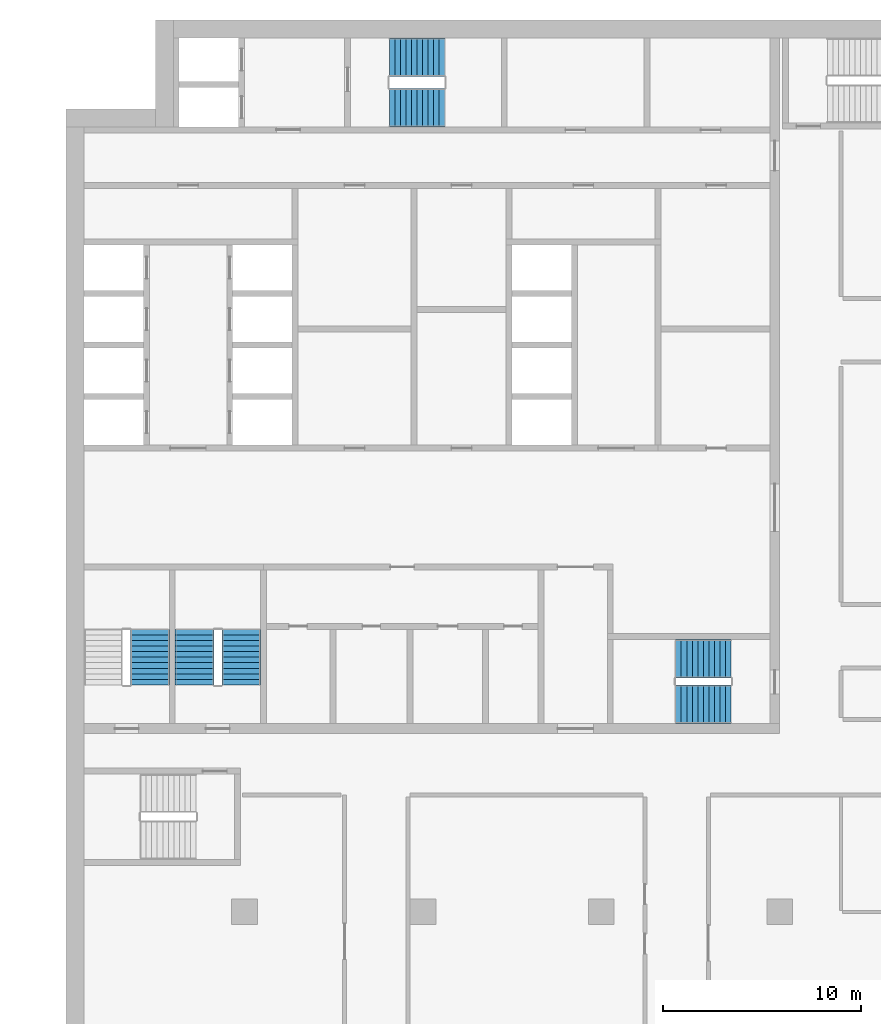
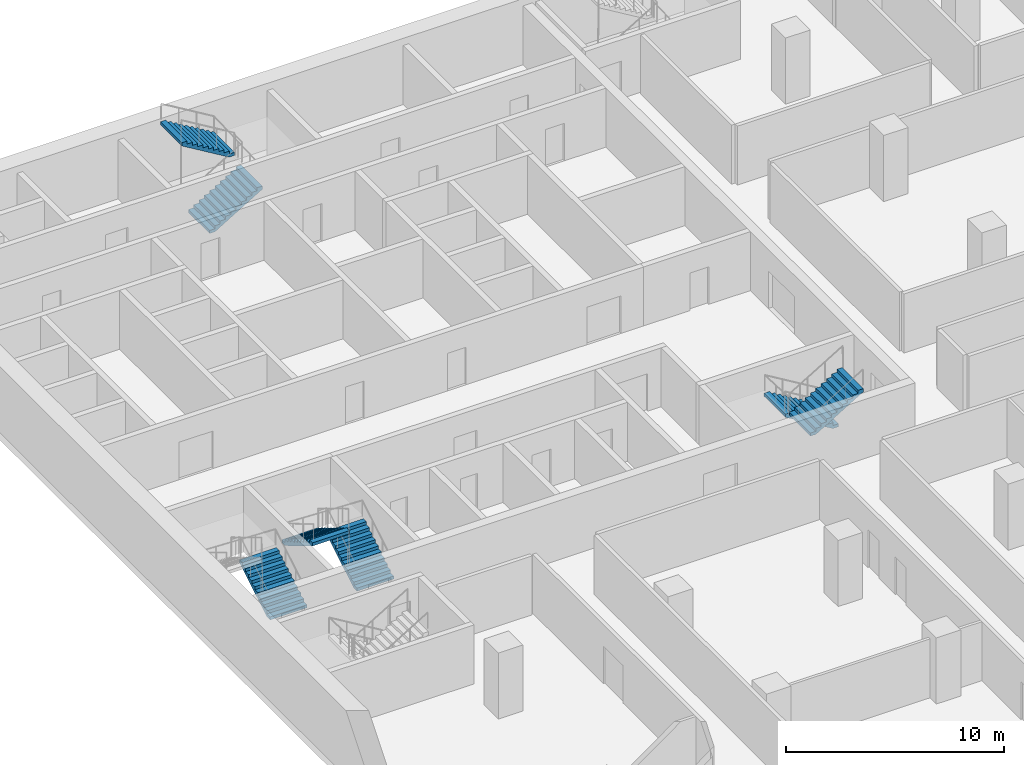
# One storey, part 16 of 22: 7 stair flights, 4 elements without a shape of their own.
"""IFC4 building model written with IfcOpenShell, lengths in metres."""

from ifc_helpers import new_model, si_unit, direction, frame, origin, place, context, subcontext, project, spatial, polyline, outline, extrude, material, type_object, element, aggregate, save


model = new_model("IFC4")

# Units and contexts
model_context = context("Model", 3, precision=1e-05, world=origin(), true_north=direction((0.0, 1.0)))
body_context = subcontext(model_context, "Body", "Model", "MODEL_VIEW")
ifc_project = project(units=[si_unit("LENGTHUNIT", "METRE"), si_unit("AREAUNIT", "SQUARE_METRE"), si_unit("VOLUMEUNIT", "CUBIC_METRE"), si_unit("PLANEANGLEUNIT", "RADIAN"), si_unit("MASSUNIT", "GRAM", prefix="KILO")], contexts=[model_context])

# Site, building, storey
site_placement = place(None, origin())
site = spatial("IfcSite", under=ifc_project, at=site_placement, CompositionType="ELEMENT")
building_placement = place(site_placement, origin())
building = spatial("IfcBuilding", under=site, at=building_placement, Name="Hunhe Ridgeline Campus", CompositionType="ELEMENT")
storey_placement = place(building_placement, frame((0.0, 0.0, 118.10009765625)))
storey = spatial("IfcBuildingStorey", under=building, at=storey_placement, Name="L29", CompositionType="ELEMENT", Elevation=118.10009765625)

# Stair, stair flights
ifc_material = material(Name="Concrete C40", Category="concrete")
stair_type = type_object("IfcStairType", Name="Reinforced concrete dog-leg stair 1950 Concrete C40", PredefinedType="HALF_TURN_STAIR", material=ifc_material)
stair_1_placement = place(storey_placement, origin())
stair_1 = element("IfcStair", 1, at=stair_1_placement, inside=storey, type_object=stair_type, Name="L29 S1", PredefinedType="HALF_TURN_STAIR")
stair_flight_type = type_object("IfcStairFlightType", Name="Reinforced concrete stair flight 1950 Concrete C40", PredefinedType="STRAIGHT", material=ifc_material)
stair_flight_1_placement = place(storey_placement, frame((16.300048828125, 94.574951171875, 0.0), z_axis=(0.0, 0.0, 1.0), x_axis=(1.0, 0.0, 0.0)))
stair_flight_1 = element("IfcStairFlight", 2, at=stair_flight_1_placement, type_object=stair_flight_type, Name="ST1 flight 1", NumberOfRisers=11, NumberOfTreads=10, PredefinedType="STRAIGHT", RiserHeight=0.168181818, TreadLength=0.28, context=body_context, shape_type="SweptSolid", body=[
    extrude(outline(polyline([(0.0, 0.0), (0.0, 0.168212890625), (0.280029296875, 0.168212890625), (0.280029296875, 0.33642578125), (0.56005859375, 0.33642578125), (0.56005859375, 0.504638671875), (0.840087890625, 0.504638671875), (0.840087890625, 0.672607421875), (1.1201171875, 0.672607421875), (1.1201171875, 0.8408203125), (1.39990234375, 0.8408203125), (1.39990234375, 1.009033203125), (1.679931640625, 1.009033203125), (1.679931640625, 1.17724609375), (1.9599609375, 1.17724609375), (1.9599609375, 1.345458984375), (2.239990234375, 1.345458984375), (2.239990234375, 1.513671875), (2.52001953125, 1.513671875), (2.52001953125, 1.681884765625), (2.800048828125, 1.681884765625), (2.800048828125, 1.85009765625), (2.800048828125, 1.5068359375), (0.291015625, 0.0), (0.0, 0.0)])), frame((0.0, 0.97509765625, 0.0), z_axis=(0.0, -1.0, 0.0), x_axis=(1.0, 0.0, 0.0)), (0.0, 0.0, 1.0), 1.949951171875),
    extrude(outline(polyline([(0.030029296875, 0.030029296875), (0.030029296875, 0.13818359375), (0.31005859375, 0.13818359375), (0.31005859375, 0.306396484375), (0.590087890625, 0.306396484375), (0.590087890625, 0.474609375), (0.8701171875, 0.474609375), (0.8701171875, 0.642578125), (1.14990234375, 0.642578125), (1.14990234375, 0.810791015625), (1.429931640625, 0.810791015625), (1.429931640625, 0.97900390625), (1.7099609375, 0.97900390625), (1.7099609375, 1.147216796875), (1.989990234375, 1.147216796875), (1.989990234375, 1.3154296875), (2.27001953125, 1.3154296875), (2.27001953125, 1.483642578125), (2.550048828125, 1.483642578125), (2.550048828125, 1.65185546875), (2.77001953125, 1.65185546875), (2.77001953125, 1.52392578125), (0.28271484375, 0.030029296875), (0.030029296875, 0.030029296875)])), frame((0.0, -0.070068359375, 0.0), z_axis=(0.0, -1.0, 0.0), x_axis=(1.0, 0.0, 0.0)), (0.0, 0.0, 1.0), 0.019775390625),
    extrude(outline(polyline([(0.030029296875, 0.030029296875), (0.030029296875, 0.13818359375), (0.31005859375, 0.13818359375), (0.31005859375, 0.306396484375), (0.590087890625, 0.306396484375), (0.590087890625, 0.474609375), (0.8701171875, 0.474609375), (0.8701171875, 0.642578125), (1.14990234375, 0.642578125), (1.14990234375, 0.810791015625), (1.429931640625, 0.810791015625), (1.429931640625, 0.97900390625), (1.7099609375, 0.97900390625), (1.7099609375, 1.147216796875), (1.989990234375, 1.147216796875), (1.989990234375, 1.3154296875), (2.27001953125, 1.3154296875), (2.27001953125, 1.483642578125), (2.550048828125, 1.483642578125), (2.550048828125, 1.65185546875), (2.77001953125, 1.65185546875), (2.77001953125, 1.52392578125), (0.28271484375, 0.030029296875), (0.030029296875, 0.030029296875)])), frame((0.0, 0.010009765625, 0.0), z_axis=(0.0, -1.0, 0.0), x_axis=(1.0, 0.0, 0.0)), (0.0, 0.0, 1.0), 0.019775390625),
    extrude(outline(polyline([(0.030029296875, 0.030029296875), (0.030029296875, 0.13818359375), (0.31005859375, 0.13818359375), (0.31005859375, 0.306396484375), (0.590087890625, 0.306396484375), (0.590087890625, 0.474609375), (0.8701171875, 0.474609375), (0.8701171875, 0.642578125), (1.14990234375, 0.642578125), (1.14990234375, 0.810791015625), (1.429931640625, 0.810791015625), (1.429931640625, 0.97900390625), (1.7099609375, 0.97900390625), (1.7099609375, 1.147216796875), (1.989990234375, 1.147216796875), (1.989990234375, 1.3154296875), (2.27001953125, 1.3154296875), (2.27001953125, 1.483642578125), (2.550048828125, 1.483642578125), (2.550048828125, 1.65185546875), (2.77001953125, 1.65185546875), (2.77001953125, 1.52392578125), (0.28271484375, 0.030029296875), (0.030029296875, 0.030029296875)])), frame((0.0, 0.090087890625, 0.0), z_axis=(0.0, -1.0, 0.0), x_axis=(1.0, 0.0, 0.0)), (0.0, 0.0, 1.0), 0.019775390625),
])
stair_flight_2_placement = place(storey_placement, frame((19.10009765625, 97.125, 1.849853515625), z_axis=(0.0, 0.0, 1.0), x_axis=(-1.0, 0.0, 0.0)))
stair_flight_2 = element("IfcStairFlight", 3, at=stair_flight_2_placement, type_object=stair_flight_type, Name="ST1 flight 2", NumberOfRisers=11, NumberOfTreads=10, PredefinedType="STRAIGHT", RiserHeight=0.168181818, TreadLength=0.28, context=body_context, shape_type="SweptSolid", body=[
    extrude(outline(polyline([(0.0, 0.0), (0.0, 0.168212890625), (0.280029296875, 0.168212890625), (0.280029296875, 0.33642578125), (0.56005859375, 0.33642578125), (0.56005859375, 0.504638671875), (0.840087890625, 0.504638671875), (0.840087890625, 0.672607421875), (1.1201171875, 0.672607421875), (1.1201171875, 0.8408203125), (1.39990234375, 0.8408203125), (1.39990234375, 1.009033203125), (1.679931640625, 1.009033203125), (1.679931640625, 1.17724609375), (1.9599609375, 1.17724609375), (1.9599609375, 1.345458984375), (2.239990234375, 1.345458984375), (2.239990234375, 1.513671875), (2.52001953125, 1.513671875), (2.52001953125, 1.681884765625), (2.800048828125, 1.681884765625), (2.800048828125, 1.85009765625), (2.800048828125, 1.5068359375), (0.291015625, 0.0), (0.0, 0.0)])), frame((0.0, 0.97509765625, 0.0), z_axis=(0.0, -1.0, 0.0), x_axis=(1.0, 0.0, 0.0)), (0.0, 0.0, 1.0), 1.949951171875),
    extrude(outline(polyline([(0.030029296875, 0.030029296875), (0.030029296875, 0.13818359375), (0.31005859375, 0.13818359375), (0.31005859375, 0.306396484375), (0.590087890625, 0.306396484375), (0.590087890625, 0.474609375), (0.8701171875, 0.474609375), (0.8701171875, 0.642578125), (1.14990234375, 0.642578125), (1.14990234375, 0.810791015625), (1.429931640625, 0.810791015625), (1.429931640625, 0.97900390625), (1.7099609375, 0.97900390625), (1.7099609375, 1.147216796875), (1.989990234375, 1.147216796875), (1.989990234375, 1.3154296875), (2.27001953125, 1.3154296875), (2.27001953125, 1.483642578125), (2.550048828125, 1.483642578125), (2.550048828125, 1.65185546875), (2.77001953125, 1.65185546875), (2.77001953125, 1.52392578125), (0.28271484375, 0.030029296875), (0.030029296875, 0.030029296875)])), frame((0.0, -0.070068359375, 0.0), z_axis=(0.0, -1.0, 0.0), x_axis=(1.0, 0.0, 0.0)), (0.0, 0.0, 1.0), 0.019775390625),
    extrude(outline(polyline([(0.030029296875, 0.030029296875), (0.030029296875, 0.13818359375), (0.31005859375, 0.13818359375), (0.31005859375, 0.306396484375), (0.590087890625, 0.306396484375), (0.590087890625, 0.474609375), (0.8701171875, 0.474609375), (0.8701171875, 0.642578125), (1.14990234375, 0.642578125), (1.14990234375, 0.810791015625), (1.429931640625, 0.810791015625), (1.429931640625, 0.97900390625), (1.7099609375, 0.97900390625), (1.7099609375, 1.147216796875), (1.989990234375, 1.147216796875), (1.989990234375, 1.3154296875), (2.27001953125, 1.3154296875), (2.27001953125, 1.483642578125), (2.550048828125, 1.483642578125), (2.550048828125, 1.65185546875), (2.77001953125, 1.65185546875), (2.77001953125, 1.52392578125), (0.28271484375, 0.030029296875), (0.030029296875, 0.030029296875)])), frame((0.0, 0.010009765625, 0.0), z_axis=(0.0, -1.0, 0.0), x_axis=(1.0, 0.0, 0.0)), (0.0, 0.0, 1.0), 0.019775390625),
    extrude(outline(polyline([(0.030029296875, 0.030029296875), (0.030029296875, 0.13818359375), (0.31005859375, 0.13818359375), (0.31005859375, 0.306396484375), (0.590087890625, 0.306396484375), (0.590087890625, 0.474609375), (0.8701171875, 0.474609375), (0.8701171875, 0.642578125), (1.14990234375, 0.642578125), (1.14990234375, 0.810791015625), (1.429931640625, 0.810791015625), (1.429931640625, 0.97900390625), (1.7099609375, 0.97900390625), (1.7099609375, 1.147216796875), (1.989990234375, 1.147216796875), (1.989990234375, 1.3154296875), (2.27001953125, 1.3154296875), (2.27001953125, 1.483642578125), (2.550048828125, 1.483642578125), (2.550048828125, 1.65185546875), (2.77001953125, 1.65185546875), (2.77001953125, 1.52392578125), (0.28271484375, 0.030029296875), (0.030029296875, 0.030029296875)])), frame((0.0, 0.090087890625, 0.0), z_axis=(0.0, -1.0, 0.0), x_axis=(1.0, 0.0, 0.0)), (0.0, 0.0, 1.0), 0.019775390625),
])
aggregate(stair_1, [stair_flight_1, stair_flight_2])

stair_2_placement = place(storey_placement, origin())
stair_2 = element("IfcStair", 4, at=stair_2_placement, inside=storey, type_object=stair_type, Name="L29 S2", PredefinedType="HALF_TURN_STAIR")
stair_flight_3_placement = place(storey_placement, frame((33.550048828125, 66.77490234375, 0.0), z_axis=(0.0, 0.0, 1.0), x_axis=(-1.0, 0.0, 0.0)))
stair_flight_3 = element("IfcStairFlight", 5, at=stair_flight_3_placement, type_object=stair_flight_type, Name="ST2 flight 1", NumberOfRisers=11, NumberOfTreads=10, PredefinedType="STRAIGHT", RiserHeight=0.168181818, TreadLength=0.28, context=body_context, shape_type="SweptSolid", body=[
    extrude(outline(polyline([(0.0, 0.0), (0.0, 0.168212890625), (0.280029296875, 0.168212890625), (0.280029296875, 0.33642578125), (0.56005859375, 0.33642578125), (0.56005859375, 0.504638671875), (0.840087890625, 0.504638671875), (0.840087890625, 0.672607421875), (1.1201171875, 0.672607421875), (1.1201171875, 0.8408203125), (1.39990234375, 0.8408203125), (1.39990234375, 1.009033203125), (1.679931640625, 1.009033203125), (1.679931640625, 1.17724609375), (1.9599609375, 1.17724609375), (1.9599609375, 1.345458984375), (2.239990234375, 1.345458984375), (2.239990234375, 1.513671875), (2.52001953125, 1.513671875), (2.52001953125, 1.681884765625), (2.800048828125, 1.681884765625), (2.800048828125, 1.85009765625), (2.800048828125, 1.5068359375), (0.291015625, 0.0), (0.0, 0.0)])), frame((0.0, 0.97509765625, 0.0), z_axis=(0.0, -1.0, 0.0), x_axis=(1.0, 0.0, 0.0)), (0.0, 0.0, 1.0), 1.949951171875),
    extrude(outline(polyline([(0.030029296875, 0.030029296875), (0.030029296875, 0.13818359375), (0.31005859375, 0.13818359375), (0.31005859375, 0.306396484375), (0.590087890625, 0.306396484375), (0.590087890625, 0.474609375), (0.8701171875, 0.474609375), (0.8701171875, 0.642578125), (1.14990234375, 0.642578125), (1.14990234375, 0.810791015625), (1.429931640625, 0.810791015625), (1.429931640625, 0.97900390625), (1.7099609375, 0.97900390625), (1.7099609375, 1.147216796875), (1.989990234375, 1.147216796875), (1.989990234375, 1.3154296875), (2.27001953125, 1.3154296875), (2.27001953125, 1.483642578125), (2.550048828125, 1.483642578125), (2.550048828125, 1.65185546875), (2.77001953125, 1.65185546875), (2.77001953125, 1.52392578125), (0.28271484375, 0.030029296875), (0.030029296875, 0.030029296875)])), frame((0.0, -0.070068359375, 0.0), z_axis=(0.0, -1.0, 0.0), x_axis=(1.0, 0.0, 0.0)), (0.0, 0.0, 1.0), 0.019775390625),
    extrude(outline(polyline([(0.030029296875, 0.030029296875), (0.030029296875, 0.13818359375), (0.31005859375, 0.13818359375), (0.31005859375, 0.306396484375), (0.590087890625, 0.306396484375), (0.590087890625, 0.474609375), (0.8701171875, 0.474609375), (0.8701171875, 0.642578125), (1.14990234375, 0.642578125), (1.14990234375, 0.810791015625), (1.429931640625, 0.810791015625), (1.429931640625, 0.97900390625), (1.7099609375, 0.97900390625), (1.7099609375, 1.147216796875), (1.989990234375, 1.147216796875), (1.989990234375, 1.3154296875), (2.27001953125, 1.3154296875), (2.27001953125, 1.483642578125), (2.550048828125, 1.483642578125), (2.550048828125, 1.65185546875), (2.77001953125, 1.65185546875), (2.77001953125, 1.52392578125), (0.28271484375, 0.030029296875), (0.030029296875, 0.030029296875)])), frame((0.0, 0.010009765625, 0.0), z_axis=(0.0, -1.0, 0.0), x_axis=(1.0, 0.0, 0.0)), (0.0, 0.0, 1.0), 0.019775390625),
    extrude(outline(polyline([(0.030029296875, 0.030029296875), (0.030029296875, 0.13818359375), (0.31005859375, 0.13818359375), (0.31005859375, 0.306396484375), (0.590087890625, 0.306396484375), (0.590087890625, 0.474609375), (0.8701171875, 0.474609375), (0.8701171875, 0.642578125), (1.14990234375, 0.642578125), (1.14990234375, 0.810791015625), (1.429931640625, 0.810791015625), (1.429931640625, 0.97900390625), (1.7099609375, 0.97900390625), (1.7099609375, 1.147216796875), (1.989990234375, 1.147216796875), (1.989990234375, 1.3154296875), (2.27001953125, 1.3154296875), (2.27001953125, 1.483642578125), (2.550048828125, 1.483642578125), (2.550048828125, 1.65185546875), (2.77001953125, 1.65185546875), (2.77001953125, 1.52392578125), (0.28271484375, 0.030029296875), (0.030029296875, 0.030029296875)])), frame((0.0, 0.090087890625, 0.0), z_axis=(0.0, -1.0, 0.0), x_axis=(1.0, 0.0, 0.0)), (0.0, 0.0, 1.0), 0.019775390625),
])
stair_flight_4_placement = place(storey_placement, frame((30.75, 64.47509765625, 1.849853515625), z_axis=(0.0, 0.0, 1.0), x_axis=(1.0, 0.0, 0.0)))
stair_flight_4 = element("IfcStairFlight", 6, at=stair_flight_4_placement, type_object=stair_flight_type, Name="ST2 flight 2", NumberOfRisers=11, NumberOfTreads=10, PredefinedType="STRAIGHT", RiserHeight=0.168181818, TreadLength=0.28, context=body_context, shape_type="SweptSolid", body=[
    extrude(outline(polyline([(0.0, 0.0), (0.0, 0.168212890625), (0.280029296875, 0.168212890625), (0.280029296875, 0.33642578125), (0.56005859375, 0.33642578125), (0.56005859375, 0.504638671875), (0.840087890625, 0.504638671875), (0.840087890625, 0.672607421875), (1.1201171875, 0.672607421875), (1.1201171875, 0.8408203125), (1.39990234375, 0.8408203125), (1.39990234375, 1.009033203125), (1.679931640625, 1.009033203125), (1.679931640625, 1.17724609375), (1.9599609375, 1.17724609375), (1.9599609375, 1.345458984375), (2.239990234375, 1.345458984375), (2.239990234375, 1.513671875), (2.52001953125, 1.513671875), (2.52001953125, 1.681884765625), (2.800048828125, 1.681884765625), (2.800048828125, 1.85009765625), (2.800048828125, 1.5068359375), (0.291015625, 0.0), (0.0, 0.0)])), frame((0.0, 0.97509765625, 0.0), z_axis=(0.0, -1.0, 0.0), x_axis=(1.0, 0.0, 0.0)), (0.0, 0.0, 1.0), 1.949951171875),
    extrude(outline(polyline([(0.030029296875, 0.030029296875), (0.030029296875, 0.13818359375), (0.31005859375, 0.13818359375), (0.31005859375, 0.306396484375), (0.590087890625, 0.306396484375), (0.590087890625, 0.474609375), (0.8701171875, 0.474609375), (0.8701171875, 0.642578125), (1.14990234375, 0.642578125), (1.14990234375, 0.810791015625), (1.429931640625, 0.810791015625), (1.429931640625, 0.97900390625), (1.7099609375, 0.97900390625), (1.7099609375, 1.147216796875), (1.989990234375, 1.147216796875), (1.989990234375, 1.3154296875), (2.27001953125, 1.3154296875), (2.27001953125, 1.483642578125), (2.550048828125, 1.483642578125), (2.550048828125, 1.65185546875), (2.77001953125, 1.65185546875), (2.77001953125, 1.52392578125), (0.28271484375, 0.030029296875), (0.030029296875, 0.030029296875)])), frame((0.0, -0.070068359375, 0.0), z_axis=(0.0, -1.0, 0.0), x_axis=(1.0, 0.0, 0.0)), (0.0, 0.0, 1.0), 0.019775390625),
    extrude(outline(polyline([(0.030029296875, 0.030029296875), (0.030029296875, 0.13818359375), (0.31005859375, 0.13818359375), (0.31005859375, 0.306396484375), (0.590087890625, 0.306396484375), (0.590087890625, 0.474609375), (0.8701171875, 0.474609375), (0.8701171875, 0.642578125), (1.14990234375, 0.642578125), (1.14990234375, 0.810791015625), (1.429931640625, 0.810791015625), (1.429931640625, 0.97900390625), (1.7099609375, 0.97900390625), (1.7099609375, 1.147216796875), (1.989990234375, 1.147216796875), (1.989990234375, 1.3154296875), (2.27001953125, 1.3154296875), (2.27001953125, 1.483642578125), (2.550048828125, 1.483642578125), (2.550048828125, 1.65185546875), (2.77001953125, 1.65185546875), (2.77001953125, 1.52392578125), (0.28271484375, 0.030029296875), (0.030029296875, 0.030029296875)])), frame((0.0, 0.010009765625, 0.0), z_axis=(0.0, -1.0, 0.0), x_axis=(1.0, 0.0, 0.0)), (0.0, 0.0, 1.0), 0.019775390625),
    extrude(outline(polyline([(0.030029296875, 0.030029296875), (0.030029296875, 0.13818359375), (0.31005859375, 0.13818359375), (0.31005859375, 0.306396484375), (0.590087890625, 0.306396484375), (0.590087890625, 0.474609375), (0.8701171875, 0.474609375), (0.8701171875, 0.642578125), (1.14990234375, 0.642578125), (1.14990234375, 0.810791015625), (1.429931640625, 0.810791015625), (1.429931640625, 0.97900390625), (1.7099609375, 0.97900390625), (1.7099609375, 1.147216796875), (1.989990234375, 1.147216796875), (1.989990234375, 1.3154296875), (2.27001953125, 1.3154296875), (2.27001953125, 1.483642578125), (2.550048828125, 1.483642578125), (2.550048828125, 1.65185546875), (2.77001953125, 1.65185546875), (2.77001953125, 1.52392578125), (0.28271484375, 0.030029296875), (0.030029296875, 0.030029296875)])), frame((0.0, 0.090087890625, 0.0), z_axis=(0.0, -1.0, 0.0), x_axis=(1.0, 0.0, 0.0)), (0.0, 0.0, 1.0), 0.019775390625),
])
aggregate(stair_2, [stair_flight_3, stair_flight_4])

# Stair, stair flight
stair_3_placement = place(storey_placement, origin())
stair_3 = element("IfcStair", 7, at=stair_3_placement, inside=storey, type_object=stair_type, Name="L29 S3", PredefinedType="HALF_TURN_STAIR")
stair_flight_5_placement = place(storey_placement, frame((4.22509765625, 65.449951171875, 0.0), z_axis=(0.0, 0.0, 1.0), x_axis=(0.0, 1.0, 0.0)))
stair_flight_5 = element("IfcStairFlight", 8, at=stair_flight_5_placement, type_object=stair_flight_type, Name="ST3 flight 1", NumberOfRisers=11, NumberOfTreads=10, PredefinedType="STRAIGHT", RiserHeight=0.168181818, TreadLength=0.28, context=body_context, shape_type="SweptSolid", body=[
    extrude(outline(polyline([(0.0, 0.0), (0.0, 0.168212890625), (0.280029296875, 0.168212890625), (0.280029296875, 0.33642578125), (0.56005859375, 0.33642578125), (0.56005859375, 0.504638671875), (0.840087890625, 0.504638671875), (0.840087890625, 0.672607421875), (1.1201171875, 0.672607421875), (1.1201171875, 0.8408203125), (1.39990234375, 0.8408203125), (1.39990234375, 1.009033203125), (1.679931640625, 1.009033203125), (1.679931640625, 1.17724609375), (1.9599609375, 1.17724609375), (1.9599609375, 1.345458984375), (2.239990234375, 1.345458984375), (2.239990234375, 1.513671875), (2.52001953125, 1.513671875), (2.52001953125, 1.681884765625), (2.800048828125, 1.681884765625), (2.800048828125, 1.85009765625), (2.800048828125, 1.5068359375), (0.291015625, 0.0), (0.0, 0.0)])), frame((0.0, 0.97509765625, 0.0), z_axis=(0.0, -1.0, 0.0), x_axis=(1.0, 0.0, 0.0)), (0.0, 0.0, 1.0), 1.949951171875),
    extrude(outline(polyline([(0.030029296875, 0.030029296875), (0.030029296875, 0.13818359375), (0.31005859375, 0.13818359375), (0.31005859375, 0.306396484375), (0.590087890625, 0.306396484375), (0.590087890625, 0.474609375), (0.8701171875, 0.474609375), (0.8701171875, 0.642578125), (1.14990234375, 0.642578125), (1.14990234375, 0.810791015625), (1.429931640625, 0.810791015625), (1.429931640625, 0.97900390625), (1.7099609375, 0.97900390625), (1.7099609375, 1.147216796875), (1.989990234375, 1.147216796875), (1.989990234375, 1.3154296875), (2.27001953125, 1.3154296875), (2.27001953125, 1.483642578125), (2.550048828125, 1.483642578125), (2.550048828125, 1.65185546875), (2.77001953125, 1.65185546875), (2.77001953125, 1.52392578125), (0.28271484375, 0.030029296875), (0.030029296875, 0.030029296875)])), frame((0.0, -0.070068359375, 0.0), z_axis=(0.0, -1.0, 0.0), x_axis=(1.0, 0.0, 0.0)), (0.0, 0.0, 1.0), 0.019775390625),
    extrude(outline(polyline([(0.030029296875, 0.030029296875), (0.030029296875, 0.13818359375), (0.31005859375, 0.13818359375), (0.31005859375, 0.306396484375), (0.590087890625, 0.306396484375), (0.590087890625, 0.474609375), (0.8701171875, 0.474609375), (0.8701171875, 0.642578125), (1.14990234375, 0.642578125), (1.14990234375, 0.810791015625), (1.429931640625, 0.810791015625), (1.429931640625, 0.97900390625), (1.7099609375, 0.97900390625), (1.7099609375, 1.147216796875), (1.989990234375, 1.147216796875), (1.989990234375, 1.3154296875), (2.27001953125, 1.3154296875), (2.27001953125, 1.483642578125), (2.550048828125, 1.483642578125), (2.550048828125, 1.65185546875), (2.77001953125, 1.65185546875), (2.77001953125, 1.52392578125), (0.28271484375, 0.030029296875), (0.030029296875, 0.030029296875)])), frame((0.0, 0.010009765625, 0.0), z_axis=(0.0, -1.0, 0.0), x_axis=(1.0, 0.0, 0.0)), (0.0, 0.0, 1.0), 0.019775390625),
    extrude(outline(polyline([(0.030029296875, 0.030029296875), (0.030029296875, 0.13818359375), (0.31005859375, 0.13818359375), (0.31005859375, 0.306396484375), (0.590087890625, 0.306396484375), (0.590087890625, 0.474609375), (0.8701171875, 0.474609375), (0.8701171875, 0.642578125), (1.14990234375, 0.642578125), (1.14990234375, 0.810791015625), (1.429931640625, 0.810791015625), (1.429931640625, 0.97900390625), (1.7099609375, 0.97900390625), (1.7099609375, 1.147216796875), (1.989990234375, 1.147216796875), (1.989990234375, 1.3154296875), (2.27001953125, 1.3154296875), (2.27001953125, 1.483642578125), (2.550048828125, 1.483642578125), (2.550048828125, 1.65185546875), (2.77001953125, 1.65185546875), (2.77001953125, 1.52392578125), (0.28271484375, 0.030029296875), (0.030029296875, 0.030029296875)])), frame((0.0, 0.090087890625, 0.0), z_axis=(0.0, -1.0, 0.0), x_axis=(1.0, 0.0, 0.0)), (0.0, 0.0, 1.0), 0.019775390625),
])
aggregate(stair_3, [stair_flight_5])

# Stair, stair flights
stair_4_placement = place(storey_placement, origin())
stair_4 = element("IfcStair", 9, at=stair_4_placement, inside=storey, type_object=stair_type, Name="L29 S4", PredefinedType="HALF_TURN_STAIR")
stair_flight_6_placement = place(storey_placement, frame((8.824951171875, 65.449951171875, 0.0), z_axis=(0.0, 0.0, 1.0), x_axis=(0.0, 1.0, 0.0)))
stair_flight_6 = element("IfcStairFlight", 10, at=stair_flight_6_placement, type_object=stair_flight_type, Name="ST4 flight 1", NumberOfRisers=11, NumberOfTreads=10, PredefinedType="STRAIGHT", RiserHeight=0.168181818, TreadLength=0.28, context=body_context, shape_type="SweptSolid", body=[
    extrude(outline(polyline([(0.0, 0.0), (0.0, 0.168212890625), (0.280029296875, 0.168212890625), (0.280029296875, 0.33642578125), (0.56005859375, 0.33642578125), (0.56005859375, 0.504638671875), (0.840087890625, 0.504638671875), (0.840087890625, 0.672607421875), (1.1201171875, 0.672607421875), (1.1201171875, 0.8408203125), (1.39990234375, 0.8408203125), (1.39990234375, 1.009033203125), (1.679931640625, 1.009033203125), (1.679931640625, 1.17724609375), (1.9599609375, 1.17724609375), (1.9599609375, 1.345458984375), (2.239990234375, 1.345458984375), (2.239990234375, 1.513671875), (2.52001953125, 1.513671875), (2.52001953125, 1.681884765625), (2.800048828125, 1.681884765625), (2.800048828125, 1.85009765625), (2.800048828125, 1.5068359375), (0.291015625, 0.0), (0.0, 0.0)])), frame((0.0, 0.97509765625, 0.0), z_axis=(0.0, -1.0, 0.0), x_axis=(1.0, 0.0, 0.0)), (0.0, 0.0, 1.0), 1.949951171875),
    extrude(outline(polyline([(0.030029296875, 0.030029296875), (0.030029296875, 0.13818359375), (0.31005859375, 0.13818359375), (0.31005859375, 0.306396484375), (0.590087890625, 0.306396484375), (0.590087890625, 0.474609375), (0.8701171875, 0.474609375), (0.8701171875, 0.642578125), (1.14990234375, 0.642578125), (1.14990234375, 0.810791015625), (1.429931640625, 0.810791015625), (1.429931640625, 0.97900390625), (1.7099609375, 0.97900390625), (1.7099609375, 1.147216796875), (1.989990234375, 1.147216796875), (1.989990234375, 1.3154296875), (2.27001953125, 1.3154296875), (2.27001953125, 1.483642578125), (2.550048828125, 1.483642578125), (2.550048828125, 1.65185546875), (2.77001953125, 1.65185546875), (2.77001953125, 1.52392578125), (0.28271484375, 0.030029296875), (0.030029296875, 0.030029296875)])), frame((0.0, -0.070068359375, 0.0), z_axis=(0.0, -1.0, 0.0), x_axis=(1.0, 0.0, 0.0)), (0.0, 0.0, 1.0), 0.019775390625),
    extrude(outline(polyline([(0.030029296875, 0.030029296875), (0.030029296875, 0.13818359375), (0.31005859375, 0.13818359375), (0.31005859375, 0.306396484375), (0.590087890625, 0.306396484375), (0.590087890625, 0.474609375), (0.8701171875, 0.474609375), (0.8701171875, 0.642578125), (1.14990234375, 0.642578125), (1.14990234375, 0.810791015625), (1.429931640625, 0.810791015625), (1.429931640625, 0.97900390625), (1.7099609375, 0.97900390625), (1.7099609375, 1.147216796875), (1.989990234375, 1.147216796875), (1.989990234375, 1.3154296875), (2.27001953125, 1.3154296875), (2.27001953125, 1.483642578125), (2.550048828125, 1.483642578125), (2.550048828125, 1.65185546875), (2.77001953125, 1.65185546875), (2.77001953125, 1.52392578125), (0.28271484375, 0.030029296875), (0.030029296875, 0.030029296875)])), frame((0.0, 0.010009765625, 0.0), z_axis=(0.0, -1.0, 0.0), x_axis=(1.0, 0.0, 0.0)), (0.0, 0.0, 1.0), 0.019775390625),
    extrude(outline(polyline([(0.030029296875, 0.030029296875), (0.030029296875, 0.13818359375), (0.31005859375, 0.13818359375), (0.31005859375, 0.306396484375), (0.590087890625, 0.306396484375), (0.590087890625, 0.474609375), (0.8701171875, 0.474609375), (0.8701171875, 0.642578125), (1.14990234375, 0.642578125), (1.14990234375, 0.810791015625), (1.429931640625, 0.810791015625), (1.429931640625, 0.97900390625), (1.7099609375, 0.97900390625), (1.7099609375, 1.147216796875), (1.989990234375, 1.147216796875), (1.989990234375, 1.3154296875), (2.27001953125, 1.3154296875), (2.27001953125, 1.483642578125), (2.550048828125, 1.483642578125), (2.550048828125, 1.65185546875), (2.77001953125, 1.65185546875), (2.77001953125, 1.52392578125), (0.28271484375, 0.030029296875), (0.030029296875, 0.030029296875)])), frame((0.0, 0.090087890625, 0.0), z_axis=(0.0, -1.0, 0.0), x_axis=(1.0, 0.0, 0.0)), (0.0, 0.0, 1.0), 0.019775390625),
])
stair_flight_7_placement = place(storey_placement, frame((6.47509765625, 68.25, 1.849853515625), z_axis=(0.0, 0.0, 1.0), x_axis=(0.0, -1.0, 0.0)))
stair_flight_7 = element("IfcStairFlight", 11, at=stair_flight_7_placement, type_object=stair_flight_type, Name="ST4 flight 2", NumberOfRisers=11, NumberOfTreads=10, PredefinedType="STRAIGHT", RiserHeight=0.168181818, TreadLength=0.28, context=body_context, shape_type="SweptSolid", body=[
    extrude(outline(polyline([(0.0, 0.0), (0.0, 0.168212890625), (0.280029296875, 0.168212890625), (0.280029296875, 0.33642578125), (0.56005859375, 0.33642578125), (0.56005859375, 0.504638671875), (0.840087890625, 0.504638671875), (0.840087890625, 0.672607421875), (1.1201171875, 0.672607421875), (1.1201171875, 0.8408203125), (1.39990234375, 0.8408203125), (1.39990234375, 1.009033203125), (1.679931640625, 1.009033203125), (1.679931640625, 1.17724609375), (1.9599609375, 1.17724609375), (1.9599609375, 1.345458984375), (2.239990234375, 1.345458984375), (2.239990234375, 1.513671875), (2.52001953125, 1.513671875), (2.52001953125, 1.681884765625), (2.800048828125, 1.681884765625), (2.800048828125, 1.85009765625), (2.800048828125, 1.5068359375), (0.291015625, 0.0), (0.0, 0.0)])), frame((0.0, 0.97509765625, 0.0), z_axis=(0.0, -1.0, 0.0), x_axis=(1.0, 0.0, 0.0)), (0.0, 0.0, 1.0), 1.949951171875),
    extrude(outline(polyline([(0.030029296875, 0.030029296875), (0.030029296875, 0.13818359375), (0.31005859375, 0.13818359375), (0.31005859375, 0.306396484375), (0.590087890625, 0.306396484375), (0.590087890625, 0.474609375), (0.8701171875, 0.474609375), (0.8701171875, 0.642578125), (1.14990234375, 0.642578125), (1.14990234375, 0.810791015625), (1.429931640625, 0.810791015625), (1.429931640625, 0.97900390625), (1.7099609375, 0.97900390625), (1.7099609375, 1.147216796875), (1.989990234375, 1.147216796875), (1.989990234375, 1.3154296875), (2.27001953125, 1.3154296875), (2.27001953125, 1.483642578125), (2.550048828125, 1.483642578125), (2.550048828125, 1.65185546875), (2.77001953125, 1.65185546875), (2.77001953125, 1.52392578125), (0.28271484375, 0.030029296875), (0.030029296875, 0.030029296875)])), frame((0.0, -0.070068359375, 0.0), z_axis=(0.0, -1.0, 0.0), x_axis=(1.0, 0.0, 0.0)), (0.0, 0.0, 1.0), 0.019775390625),
    extrude(outline(polyline([(0.030029296875, 0.030029296875), (0.030029296875, 0.13818359375), (0.31005859375, 0.13818359375), (0.31005859375, 0.306396484375), (0.590087890625, 0.306396484375), (0.590087890625, 0.474609375), (0.8701171875, 0.474609375), (0.8701171875, 0.642578125), (1.14990234375, 0.642578125), (1.14990234375, 0.810791015625), (1.429931640625, 0.810791015625), (1.429931640625, 0.97900390625), (1.7099609375, 0.97900390625), (1.7099609375, 1.147216796875), (1.989990234375, 1.147216796875), (1.989990234375, 1.3154296875), (2.27001953125, 1.3154296875), (2.27001953125, 1.483642578125), (2.550048828125, 1.483642578125), (2.550048828125, 1.65185546875), (2.77001953125, 1.65185546875), (2.77001953125, 1.52392578125), (0.28271484375, 0.030029296875), (0.030029296875, 0.030029296875)])), frame((0.0, 0.010009765625, 0.0), z_axis=(0.0, -1.0, 0.0), x_axis=(1.0, 0.0, 0.0)), (0.0, 0.0, 1.0), 0.019775390625),
    extrude(outline(polyline([(0.030029296875, 0.030029296875), (0.030029296875, 0.13818359375), (0.31005859375, 0.13818359375), (0.31005859375, 0.306396484375), (0.590087890625, 0.306396484375), (0.590087890625, 0.474609375), (0.8701171875, 0.474609375), (0.8701171875, 0.642578125), (1.14990234375, 0.642578125), (1.14990234375, 0.810791015625), (1.429931640625, 0.810791015625), (1.429931640625, 0.97900390625), (1.7099609375, 0.97900390625), (1.7099609375, 1.147216796875), (1.989990234375, 1.147216796875), (1.989990234375, 1.3154296875), (2.27001953125, 1.3154296875), (2.27001953125, 1.483642578125), (2.550048828125, 1.483642578125), (2.550048828125, 1.65185546875), (2.77001953125, 1.65185546875), (2.77001953125, 1.52392578125), (0.28271484375, 0.030029296875), (0.030029296875, 0.030029296875)])), frame((0.0, 0.090087890625, 0.0), z_axis=(0.0, -1.0, 0.0), x_axis=(1.0, 0.0, 0.0)), (0.0, 0.0, 1.0), 0.019775390625),
])
aggregate(stair_4, [stair_flight_6, stair_flight_7])

save(model, "model.ifc")
